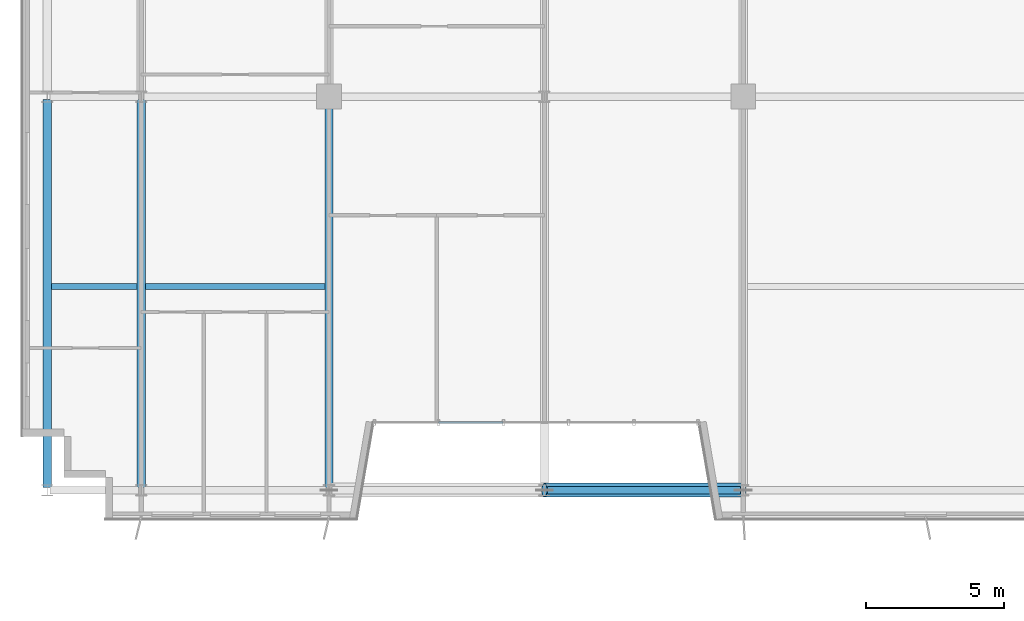
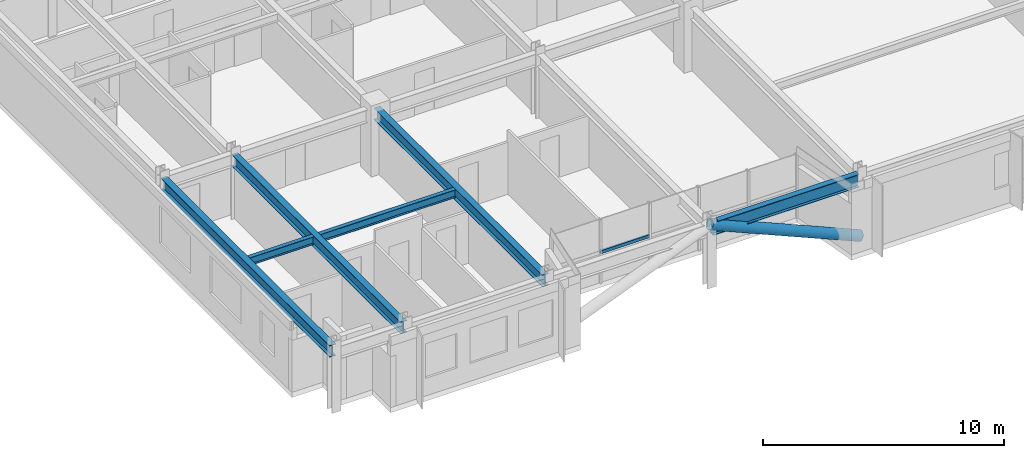
# One storey, part 5 of 25: 6 beams, 2 members, 1 element without a shape of its own.
"""IFC4 building model written with IfcOpenShell, lengths in metres."""

from ifc_helpers import new_model, si_unit, direction, frame, origin, origin_2d, place, context, subcontext, project, spatial, hollow_rectangle, hollow_circle, i_section, extrude, source, transform, mapped, material, material_profile, profile_set, type_object, element, aggregate, save


model = new_model("IFC4")

# Units and contexts
model_context = context("Model", 3, precision=1e-05, world=origin(), true_north=direction((0.0, 1.0)))
body_context = subcontext(model_context, "Body", "Model", "MODEL_VIEW")
ifc_project = project(units=[si_unit("LENGTHUNIT", "METRE"), si_unit("AREAUNIT", "SQUARE_METRE"), si_unit("VOLUMEUNIT", "CUBIC_METRE"), si_unit("PLANEANGLEUNIT", "RADIAN"), si_unit("MASSUNIT", "GRAM", prefix="KILO")], contexts=[model_context])

# Site, building, storey
site_placement = place(None, origin())
site = spatial("IfcSite", under=ifc_project, at=site_placement, CompositionType="ELEMENT")
building_placement = place(site_placement, origin())
building = spatial("IfcBuilding", under=site, at=building_placement, Name="Trelvane Seafront Commons", CompositionType="ELEMENT")
storey_placement = place(building_placement, frame((0.0, 0.0, 70.300048828125)))
storey = spatial("IfcBuildingStorey", under=building, at=storey_placement, Name="L18", CompositionType="ELEMENT", Elevation=70.300048828125)

# Beams
ifc_material_1 = material(Name="Steel SM355 (S355)", Category="steel")
ifc_material_profile_1 = material_profile(ifc_material_1, i_section(OverallWidth=0.280029296875, OverallDepth=0.64990234375, WebThickness=0.012939453125, FlangeThickness=0.02197265625, at=origin_2d()), Name="H-650x280x13x22")
ifc_profile_set_1 = profile_set([ifc_material_profile_1], Name="Steel SM355 (S355)")
beam_type_1 = type_object("IfcBeamType", Name="STR-BM-H650", PredefinedType="BEAM", material=ifc_profile_set_1)
shared_shape_1 = source(origin(), body_context, "Body", "SweptSolid", [
    extrude(i_section(OverallWidth=0.280029296875, OverallDepth=0.64990234375, WebThickness=0.012939453125, FlangeThickness=0.02197265625, at=origin_2d()), origin(), (0.0, 0.0, 1.0), 6.990234375),
])
beam_1_placement = place(storey_placement, frame((23.5048828125, 3.949951171875, 2.89501953125), z_axis=(1.0, 0.0, 0.0), x_axis=(0.0, 1.0, 0.0)))
element("IfcBeam", 1, at=beam_1_placement, inside=storey, type_object=beam_type_1, Name="L18 Primary Girder G-04", PredefinedType="BEAM", context=body_context, shape_type="MappedRepresentation", body=[
    mapped(shared_shape_1, transform((0.0, 0.0, 0.0), x_axis=(1.0, 0.0, 0.0), y_axis=(0.0, 1.0, 0.0), z_axis=(0.0, 0.0, 1.0), scale=1.0)),
])
ifc_material_profile_2 = material_profile(ifc_material_1, i_section(OverallWidth=0.300048828125, OverallDepth=0.587890625, WebThickness=0.011962890625, FlangeThickness=0.02001953125, at=origin_2d()), Name="H-588x300x12x20")
ifc_profile_set_2 = profile_set([ifc_material_profile_2], Name="Steel SM355 (S355)")
beam_type_2 = type_object("IfcBeamType", Name="STR-BM-H588", PredefinedType="BEAM", material=ifc_profile_set_2)
shared_shape_2 = source(origin(), body_context, "Body", "SweptSolid", [
    extrude(i_section(OverallWidth=0.300048828125, OverallDepth=0.587890625, WebThickness=0.011962890625, FlangeThickness=0.02001953125, at=origin_2d()), origin(), (0.0, 0.0, 1.0), 14.0400390625),
])
for number, where, z_axis, x_axis, name in (
    (2, (5.39990234375, 4.054931640625, 2.926025390625), (0.0, 1.0, 0.0), (-1.0, 0.0, 0.0), "L18 Primary Girder G-37"),
    (3, (8.800048828125, 4.054931640625, 2.926025390625), (0.0, 1.0, 0.0), (-1.0, 0.0, 0.0), "L18 Primary Girder G-40"),
):
    element("IfcBeam", number, at=place(storey_placement, frame(where, z_axis=z_axis, x_axis=x_axis)), inside=storey, type_object=beam_type_2, Name=name, PredefinedType="BEAM", context=body_context, shape_type="MappedRepresentation", body=[
        mapped(shared_shape_2, transform((0.0, 0.0, 0.0), x_axis=(1.0, 0.0, 0.0), y_axis=(0.0, 1.0, 0.0), z_axis=(0.0, 0.0, 1.0), scale=1.0)),
    ])
shared_shape_3 = source(origin(), body_context, "Body", "SweptSolid", [
    extrude(i_section(OverallWidth=0.300048828125, OverallDepth=0.587890625, WebThickness=0.011962890625, FlangeThickness=0.02001953125, at=origin_2d()), origin(), (0.0, 0.0, 1.0), 13.9951171875),
])
beam_2_placement = place(storey_placement, frame((15.60009765625, 4.054931640625, 2.926025390625), z_axis=(0.0, 1.0, 0.0), x_axis=(-1.0, 0.0, 0.0)))
element("IfcBeam", 4, at=beam_2_placement, inside=storey, type_object=beam_type_2, Name="L18 Primary Girder G-43", PredefinedType="BEAM", context=body_context, shape_type="MappedRepresentation", body=[
    mapped(shared_shape_3, transform((0.0, 0.0, 0.0), x_axis=(1.0, 0.0, 0.0), y_axis=(0.0, 1.0, 0.0), z_axis=(0.0, 0.0, 1.0), scale=1.0)),
])
ifc_material_profile_3 = material_profile(ifc_material_1, i_section(OverallWidth=0.199951171875, OverallDepth=0.39990234375, WebThickness=0.008056640625, FlangeThickness=0.012939453125, at=origin_2d()), Name="H-400x200x8x13")
ifc_profile_set_3 = profile_set([ifc_material_profile_3], Name="Steel SM355 (S355)")
beam_type_3 = type_object("IfcBeamType", Name="STR-JST-H400", PredefinedType="JOIST", material=ifc_profile_set_3)
shared_shape_4 = source(origin(), body_context, "Body", "SweptSolid", [
    extrude(i_section(OverallWidth=0.199951171875, OverallDepth=0.39990234375, WebThickness=0.008056640625, FlangeThickness=0.012939453125, at=origin_2d()), origin(), (0.0, 0.0, 1.0), 3.099853515625),
])
beam_3_placement = place(storey_placement, frame((5.550048828125, 11.324951171875, 3.02001953125), z_axis=(1.0, 0.0, 0.0), x_axis=(0.0, 1.0, 0.0)))
element("IfcBeam", 5, at=beam_3_placement, inside=storey, type_object=beam_type_3, Name="L18 Secondary Floor Joist B-67", PredefinedType="JOIST", context=body_context, shape_type="MappedRepresentation", body=[
    mapped(shared_shape_4, transform((0.0, 0.0, 0.0), x_axis=(1.0, 0.0, 0.0), y_axis=(0.0, 1.0, 0.0), z_axis=(0.0, 0.0, 1.0), scale=1.0)),
])
shared_shape_5 = source(origin(), body_context, "Body", "SweptSolid", [
    extrude(i_section(OverallWidth=0.199951171875, OverallDepth=0.39990234375, WebThickness=0.008056640625, FlangeThickness=0.012939453125, at=origin_2d()), origin(), (0.0, 0.0, 1.0), 6.5),
])
beam_4_placement = place(storey_placement, frame((8.949951171875, 11.324951171875, 3.02001953125), z_axis=(1.0, 0.0, 0.0), x_axis=(0.0, 1.0, 0.0)))
element("IfcBeam", 6, at=beam_4_placement, inside=storey, type_object=beam_type_3, Name="L18 Secondary Floor Joist B-68", PredefinedType="JOIST", context=body_context, shape_type="MappedRepresentation", body=[
    mapped(shared_shape_5, transform((0.0, 0.0, 0.0), x_axis=(1.0, 0.0, 0.0), y_axis=(0.0, 1.0, 0.0), z_axis=(0.0, 0.0, 1.0), scale=1.0)),
])

# Member
ifc_material_profile_4 = material_profile(ifc_material_1, hollow_circle(Radius=0.25390625, WallThickness=0.02001953125, at=origin_2d()), Name="CHS-508x20")
ifc_profile_set_4 = profile_set([ifc_material_profile_4], Name="Steel SM355 (S355)")
member_type_1 = type_object("IfcMemberType", Name="STR-STR-CHS508", PredefinedType="STRUT", material=ifc_profile_set_4)
shared_shape_6 = source(origin(), body_context, "Body", "SweptSolid", [
    extrude(hollow_circle(Radius=0.25390625, WallThickness=0.02001953125, at=origin_2d()), origin(), (0.0, 0.0, 1.0), 7.839111328125),
])
member_1_placement = place(storey_placement, frame((30.60009765625, 3.949951171875, 0.0), z_axis=(-0.918494593523, 0.0, 0.395433536348), x_axis=(0.0, -1.0, 0.0)))
element("IfcMember", 7, at=member_1_placement, inside=storey, type_object=member_type_1, Name="L18 Sky-Garden V-Chevron Brace SGV-E", PredefinedType="STRUT", context=body_context, shape_type="MappedRepresentation", body=[
    mapped(shared_shape_6, transform((0.0, 0.0, 0.0), x_axis=(1.0, 0.0, 0.0), y_axis=(0.0, 1.0, 0.0), z_axis=(0.0, 0.0, 1.0), scale=1.0)),
])

# Curtain wall, member
ifc_material_2 = material(Name="Anodised pale-silver aluminium", Category="aluminium")
curtain_wall_type = type_object("IfcCurtainWallType", Name="ARCH-CW3-PORTAL", PredefinedType="NOTDEFINED", material=ifc_material_2)
curtain_wall_placement = place(storey_placement, origin())
curtain_wall = element("IfcCurtainWall", 8, at=curtain_wall_placement, inside=storey, type_object=curtain_wall_type, Name="CW-L18-VN-0044", PredefinedType="NOTDEFINED")
ifc_material_profile_5 = material_profile(ifc_material_2, hollow_rectangle(XDim=0.080078125, YDim=0.159912109375, WallThickness=0.00439453125, at=origin_2d()), Name="TRAN-80x160x4.5")
ifc_profile_set_5 = profile_set([ifc_material_profile_5], Name="Anodised pale-silver aluminium")
member_type_2 = type_object("IfcMemberType", Name="ARCH-CW-TRAN-160", PredefinedType="USERDEFINED", material=ifc_profile_set_5)
shared_shape_7 = source(origin(), body_context, "Body", "SweptSolid", [
    extrude(hollow_rectangle(XDim=0.080078125, YDim=0.159912109375, WallThickness=0.00439453125, at=origin_2d()), origin(), (0.0, 0.0, 1.0), 2.3359375),
])
member_2_placement = place(storey_placement, frame((21.907958984375, 6.39990234375, 1.5458984375), z_axis=(-1.0, 0.0, 0.0), x_axis=(0.0, -1.0, 0.0)))
member_2 = element("IfcMember", 9, at=member_2_placement, type_object=member_type_2, Name="CW-L18-VN-0044-T03", ObjectType="TRANSOM", PredefinedType="USERDEFINED", context=body_context, shape_type="MappedRepresentation", body=[
    mapped(shared_shape_7, transform((0.0, 0.0, 0.0), x_axis=(1.0, 0.0, 0.0), y_axis=(0.0, 1.0, 0.0), z_axis=(0.0, 0.0, 1.0), scale=1.0)),
])
aggregate(curtain_wall, [member_2])

save(model, "model.ifc")
